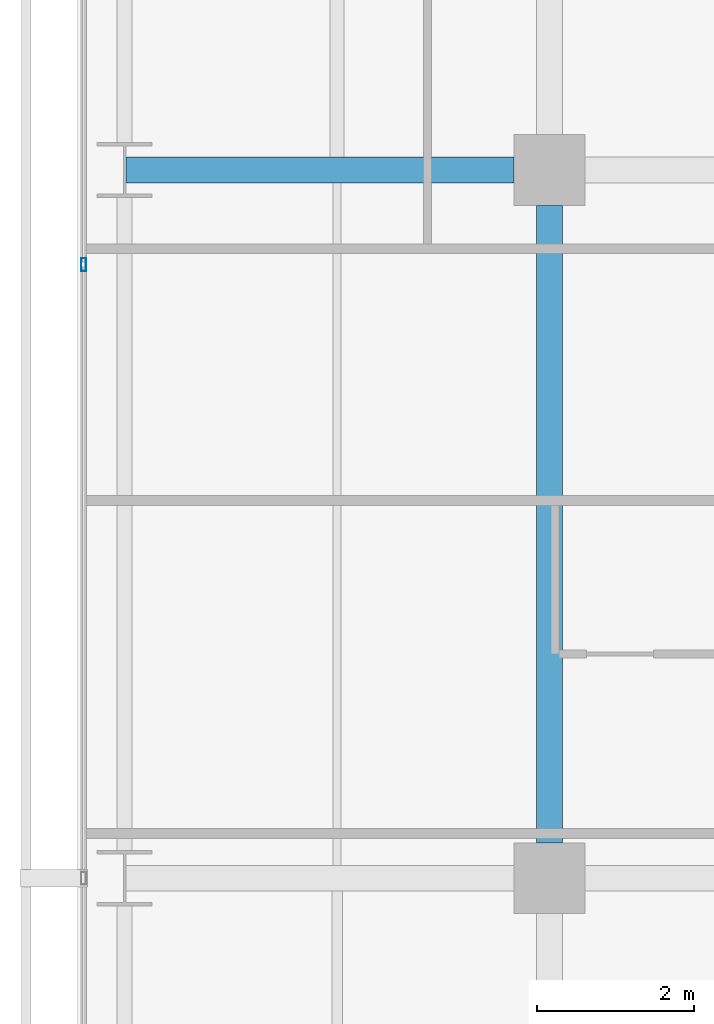
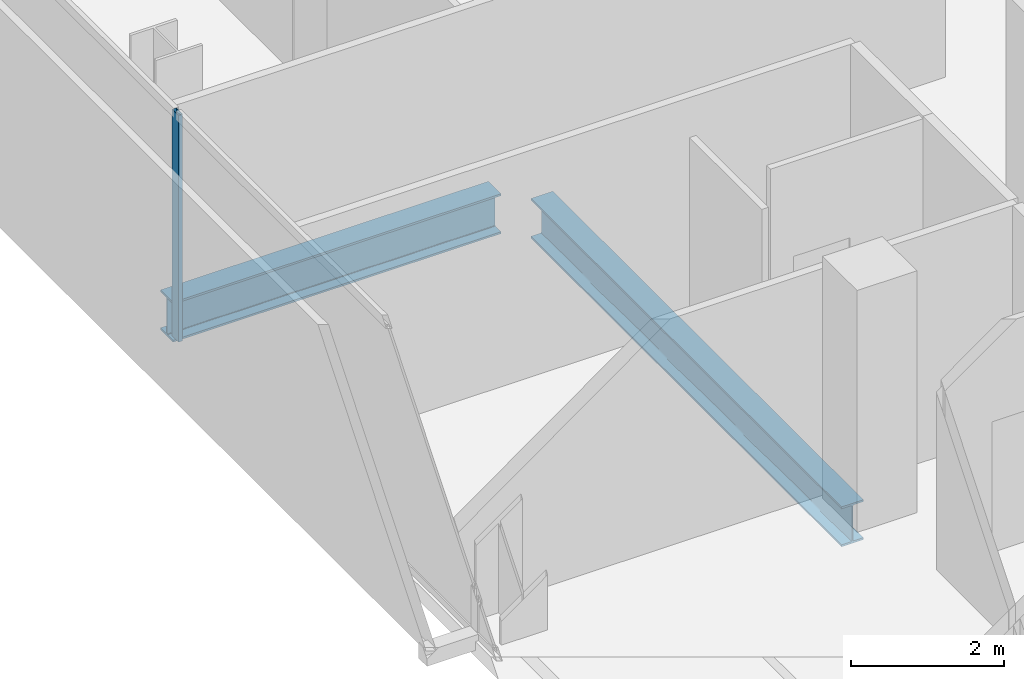
# One storey, part 21 of 40: 2 beams, 1 member, 1 element without a shape of its own.
"""IFC4 building model written with IfcOpenShell, lengths in metres."""

from ifc_helpers import new_model, si_unit, direction, frame, origin, origin_2d, place, context, subcontext, project, spatial, hollow_rectangle, i_section, extrude, material, layer, layer_set, material_profile, profile_set, type_object, element, aggregate, save


model = new_model("IFC4")

# Units and contexts
model_context = context("Model", 3, precision=1e-05, world=origin(), true_north=direction((0.0, 1.0)))
body_context = subcontext(model_context, "Body", "Model", "MODEL_VIEW")
ifc_project = project(units=[si_unit("LENGTHUNIT", "METRE"), si_unit("AREAUNIT", "SQUARE_METRE"), si_unit("VOLUMEUNIT", "CUBIC_METRE"), si_unit("PLANEANGLEUNIT", "RADIAN"), si_unit("MASSUNIT", "GRAM", prefix="KILO")], contexts=[model_context])

# Site, building, storey
site_placement = place(None, origin())
site = spatial("IfcSite", under=ifc_project, at=site_placement, CompositionType="ELEMENT")
building_placement = place(site_placement, origin())
building = spatial("IfcBuilding", under=site, at=building_placement, Name="Maruvema Waterfront Hotel and Observation Tower", CompositionType="ELEMENT")
storey_placement = place(building_placement, frame((0.0, 0.0, 30.800048828125)))
storey = spatial("IfcBuildingStorey", under=building, at=storey_placement, Name="L06", CompositionType="ELEMENT", Elevation=30.800048828125)

# Curtain wall, member
ifc_material_1 = material(Name="Anodised bronze aluminium and solar-control low-E IGU", Category="aluminium")
ifc_layer = layer(ifc_material_1, 0.159912109375, Name="Zone 1 Bronze Inner Thermal Curtain Wall System CW-02")
ifc_layer_set = layer_set([ifc_layer], Name="Anodised bronze aluminium and solar-control low-E IGU")
curtain_wall_type = type_object("IfcCurtainWallType", Name="Zone 1 Bronze Inner Thermal Curtain Wall System CW-02", PredefinedType="USERDEFINED", material=ifc_layer_set)
curtain_wall_placement = place(storey_placement, origin())
curtain_wall = element("IfcCurtainWall", 1, at=curtain_wall_placement, inside=storey, type_object=curtain_wall_type, Name="L06 Curtain Wall CW-L06-W", ObjectType="UNITISED CURTAIN WALL", PredefinedType="USERDEFINED")
ifc_material_2 = material(Name="Anodised architectural bronze aluminium", Category="aluminium")
ifc_material_profile_1 = material_profile(ifc_material_2, hollow_rectangle(XDim=0.06494140625, YDim=0.1650390625, WallThickness=0.00390625, at=origin_2d()), Name="ALU-M65x165")
ifc_profile_set_1 = profile_set([ifc_material_profile_1], Name="Anodised architectural bronze aluminium")
member_type = type_object("IfcMemberType", Name="Curtain Wall Primary Mullion ALU-M65x165", PredefinedType="MULLION", material=ifc_profile_set_1)
member_placement = place(storey_placement, frame((10.8798828125, 34.800048828125, 0.0), z_axis=(0.0, 0.0, 1.0), x_axis=(1.0, 0.0, 0.0)))
member = element("IfcMember", 2, at=member_placement, type_object=member_type, Name="CW-02 mullion 3", PredefinedType="MULLION", context=body_context, shape_type="SweptSolid", body=[
    extrude(hollow_rectangle(XDim=0.06494140625, YDim=0.1650390625, WallThickness=0.00390625, at=origin_2d()), origin(), (0.0, 0.0, 1.0), 3.60986328125),
])
aggregate(curtain_wall, [member])

# Beams
ifc_material_3 = material(Name="Steel ASTM A572 Grade 50", Category="steel")
ifc_material_profile_2 = material_profile(ifc_material_3, i_section(OverallWidth=0.3291015625, OverallDepth=0.635009765625, WebThickness=0.017822265625, FlangeThickness=0.031005859375, FilletRadius=0.01806640625, at=origin_2d()), Name="W610x241.0")
ifc_profile_set_2 = profile_set([ifc_material_profile_2], Name="Steel ASTM A572 Grade 50")
beam_type = type_object("IfcBeamType", Name="Primary Floor Girder W610x241.0", PredefinedType="BEAM", material=ifc_profile_set_2)
beam_1_placement = place(storey_placement, frame((11.4140625, 36.0, -0.5576171875), z_axis=(1.0, 0.0, 0.0), x_axis=(0.0, 1.0, 0.0)))
element("IfcBeam", 3, at=beam_1_placement, inside=storey, type_object=beam_type, Name="L06 Floor Girder EW-25", PredefinedType="BEAM", context=body_context, shape_type="SweptSolid", body=[
    extrude(i_section(OverallWidth=0.3291015625, OverallDepth=0.635009765625, WebThickness=0.017822265625, FlangeThickness=0.031005859375, FilletRadius=0.01806640625, at=origin_2d()), origin(), (0.0, 0.0, 1.0), 4.93603515625),
])
beam_2_placement = place(storey_placement, frame((16.800048828125, 27.449951171875, -0.5576171875), z_axis=(0.0, 1.0, 0.0), x_axis=(-1.0, 0.0, 0.0)))
element("IfcBeam", 4, at=beam_2_placement, inside=storey, type_object=beam_type, Name="L06 Floor Girder NS-08", PredefinedType="BEAM", context=body_context, shape_type="SweptSolid", body=[
    extrude(i_section(OverallWidth=0.3291015625, OverallDepth=0.635009765625, WebThickness=0.017822265625, FlangeThickness=0.031005859375, FilletRadius=0.01806640625, at=origin_2d()), origin(), (0.0, 0.0, 1.0), 8.10009765625),
])

save(model, "model.ifc")
